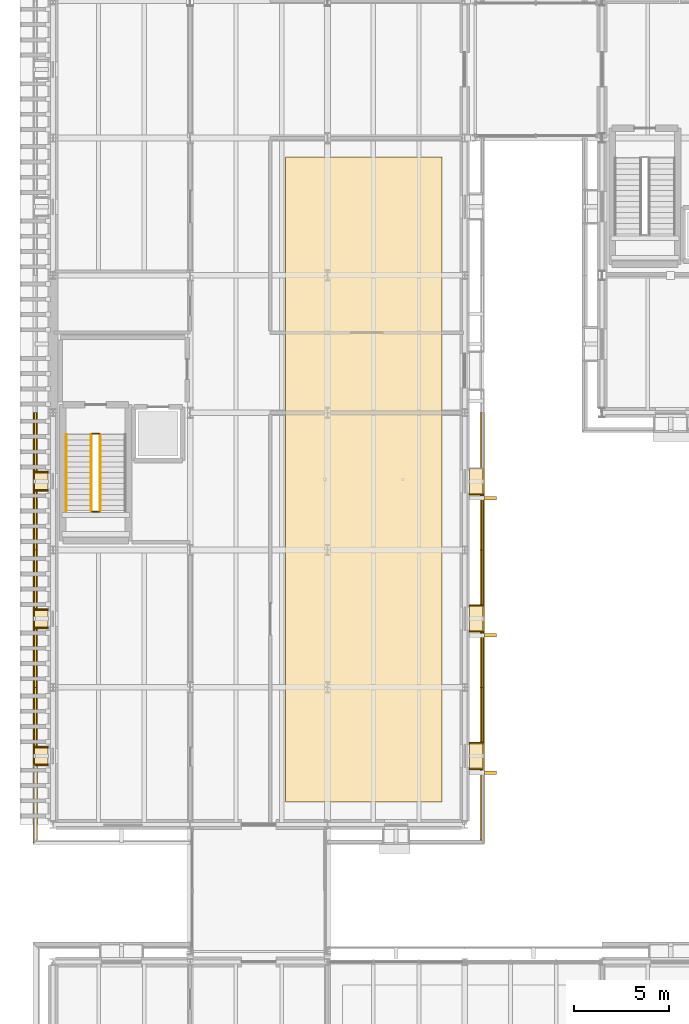
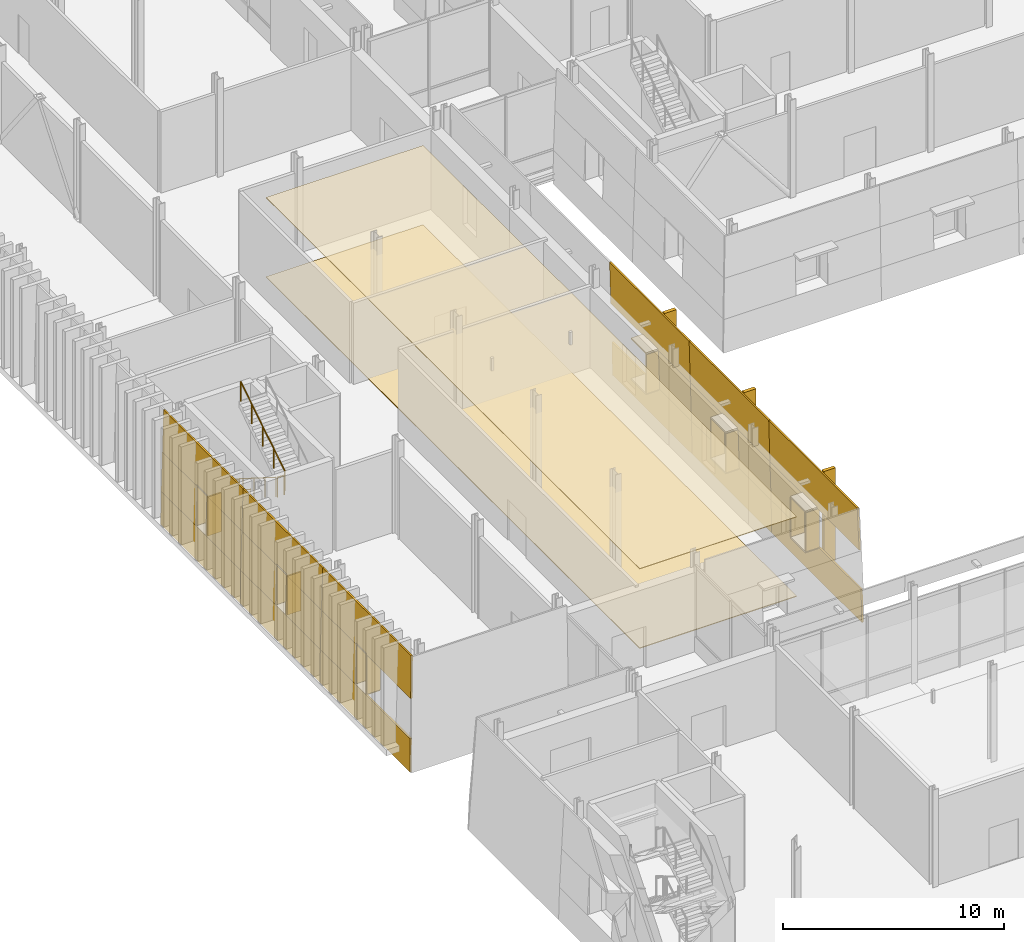
# One storey, part 101 of 120: 46 coverings, 5 railings, 3 shading devices.
"""IFC4 building model written with IfcOpenShell, lengths in metres."""

from ifc_helpers import new_model, si_unit, direction, frame, origin, origin_2d, place, context, subcontext, project, spatial, polyline, rectangle, circle, outline, extrude, material, layer, layer_set, type_object, element, save


model = new_model("IFC4")

# Units and contexts
model_context = context("Model", 3, precision=1e-05, world=origin(), true_north=direction((0.0, 1.0)))
body_context = subcontext(model_context, "Body", "Model", "MODEL_VIEW")
ifc_project = project(units=[si_unit("LENGTHUNIT", "METRE"), si_unit("AREAUNIT", "SQUARE_METRE"), si_unit("VOLUMEUNIT", "CUBIC_METRE"), si_unit("PLANEANGLEUNIT", "RADIAN"), si_unit("MASSUNIT", "GRAM", prefix="KILO")], contexts=[model_context])

# Site, building, storey
site_placement = place(None, origin())
site = spatial("IfcSite", under=ifc_project, at=site_placement, CompositionType="ELEMENT")
building_placement = place(site_placement, origin())
building = spatial("IfcBuilding", under=site, at=building_placement, Name="Narikvali Park Central Library", CompositionType="ELEMENT")
storey_placement = place(building_placement, origin())
storey = spatial("IfcBuildingStorey", under=building, at=storey_placement, Name="L00", CompositionType="ELEMENT", Elevation=0.0)

# Coverings
ifc_material_1 = material(Name="White Honed Limestone Cladding", Category="masonry")
ifc_layer_1 = layer(ifc_material_1, 0.0849609375, Name="White Honed Limestone Cladding")
ifc_layer_set_1 = layer_set([ifc_layer_1], Name="White Honed Limestone Cladding")
covering_type_1 = type_object("IfcCoveringType", Name="Battered White Limestone Facade Cladding Panel", PredefinedType="CLADDING", material=ifc_layer_set_1)
covering_1_placement = place(storey_placement, frame((22.639892578125, 27.844970703125, -0.8798828125), z_axis=(0.999892318289, 0.0, 0.014674870582), x_axis=(0.0, 1.0, 0.0)))
element("IfcCovering", 1, at=covering_1_placement, inside=storey, type_object=covering_type_1, Name="V5 L00 E Battered Limestone Spandrel B01", PredefinedType="CLADDING", context=body_context, shape_type="SweptSolid", body=[
    extrude(outline(polyline([(0.0, 0.0), (8.155029296875, 0.0), (8.155029296875, 1.830031045249088), (0.027099609375, 1.830031045249088), (0.0, 0.0)])), origin(), (0.0, 0.0, -1.0), 0.0849609375),
])
covering_2_placement = place(storey_placement, frame((22.552001953125, 27.932861328125, 3.10009765625), z_axis=(0.999598552146, 0.0, 0.028332570427), x_axis=(0.0, 1.0, 0.0)))
element("IfcCovering", 2, at=covering_2_placement, inside=storey, type_object=covering_type_1, Name="V5 L00 E Battered Limestone Lintel B01", PredefinedType="CLADDING", context=body_context, shape_type="SweptSolid", body=[
    extrude(outline(polyline([(0.0, 0.0), (8.067138671875, 0.0), (8.067138671875, 2.3007283099419555), (0.0654296875, 2.3007283099419555), (0.0, 0.0)])), origin(), (0.0, 0.0, -1.0), 0.0849609375),
])
covering_3_placement = place(storey_placement, frame((22.613037109375, 33.0400390625, 0.949951171875), z_axis=(0.99959734633, 0.0, 0.028375080797), x_axis=(0.0, 1.0, 0.0)))
element("IfcCovering", 3, at=covering_3_placement, inside=storey, type_object=covering_type_1, Name="V5 L00 E Battered Limestone Jamb Pier R B01", PredefinedType="CLADDING", context=body_context, shape_type="SweptSolid", body=[
    extrude(outline(polyline([(0.0, 0.0), (2.9599609375, 0.0), (2.9599609375, 2.1510125974918495), (0.0, 2.1510125974918495), (0.0, 0.0)])), origin(), (0.0, 0.0, -1.0), 0.0849609375),
])
covering_4_placement = place(storey_placement, frame((22.639892578125, 36.0, -0.8798828125), z_axis=(0.999892318289, 0.0, 0.014674870582), x_axis=(0.0, 1.0, 0.0)))
element("IfcCovering", 4, at=covering_4_placement, inside=storey, type_object=covering_type_1, Name="V5 L00 E Battered Limestone Spandrel B02", PredefinedType="CLADDING", context=body_context, shape_type="SweptSolid", body=[
    extrude(outline(polyline([(0.0, 0.0), (7.199951171875, 0.0), (7.199951171875, 1.830031045249088), (0.0, 1.830031045249088), (0.0, 0.0)])), origin(), (0.0, 0.0, -1.0), 0.0849609375),
])
covering_5_placement = place(storey_placement, frame((22.552001953125, 36.0, 3.10009765625), z_axis=(0.999598552146, 0.0, 0.028332570427), x_axis=(0.0, 1.0, 0.0)))
element("IfcCovering", 5, at=covering_5_placement, inside=storey, type_object=covering_type_1, Name="V5 L00 E Battered Limestone Lintel B02", PredefinedType="CLADDING", context=body_context, shape_type="SweptSolid", body=[
    extrude(outline(polyline([(0.0, 0.0), (7.199951171875, 0.0), (7.199951171875, 2.3007283099419555), (0.0, 2.3007283099419555), (0.0, 0.0)])), origin(), (0.0, 0.0, -1.0), 0.0849609375),
])
for number, where, z_axis, x_axis, name in (
    (6, (22.613037109375, 36.0, 0.949951171875), (0.99959734633, 0.0, 0.028375080797), (0.0, 1.0, 0.0), "V5 L00 E Battered Limestone Jamb Pier L B02"),
    (7, (22.613037109375, 40.239990234375, 0.949951171875), (0.99959734633, 0.0, 0.028375080797), (0.0, 1.0, 0.0), "V5 L00 E Battered Limestone Jamb Pier R B02"),
):
    element("IfcCovering", number, at=place(storey_placement, frame(where, z_axis=z_axis, x_axis=x_axis)), inside=storey, type_object=covering_type_1, Name=name, PredefinedType="CLADDING", context=body_context, shape_type="SweptSolid", body=[
        extrude(outline(polyline([(0.0, 0.0), (2.9599609375, 0.0), (2.9599609375, 2.1510125974918495), (0.0, 2.1510125974918495), (0.0, 0.0)])), origin(), (0.0, 0.0, -1.0), 0.0849609375),
    ])
covering_6_placement = place(storey_placement, frame((22.639892578125, 43.199951171875, -0.8798828125), z_axis=(0.999892318289, 0.0, 0.014674870582), x_axis=(0.0, 1.0, 0.0)))
element("IfcCovering", 8, at=covering_6_placement, inside=storey, type_object=covering_type_1, Name="V5 L00 E Battered Limestone Spandrel B03", PredefinedType="CLADDING", context=body_context, shape_type="SweptSolid", body=[
    extrude(outline(polyline([(0.0, 0.0), (7.199951171875, 0.0), (7.199951171875, 1.830031045249088), (0.0, 1.830031045249088), (0.0, 0.0)])), origin(), (0.0, 0.0, -1.0), 0.0849609375),
])
covering_7_placement = place(storey_placement, frame((22.552001953125, 43.199951171875, 3.10009765625), z_axis=(0.999598552146, 0.0, 0.028332570427), x_axis=(0.0, 1.0, 0.0)))
element("IfcCovering", 9, at=covering_7_placement, inside=storey, type_object=covering_type_1, Name="V5 L00 E Battered Limestone Lintel B03", PredefinedType="CLADDING", context=body_context, shape_type="SweptSolid", body=[
    extrude(outline(polyline([(0.0, 0.0), (7.199951171875, 0.0), (7.199951171875, 2.3007283099419555), (0.0, 2.3007283099419555), (0.0, 0.0)])), origin(), (0.0, 0.0, -1.0), 0.0849609375),
])
covering_8_placement = place(storey_placement, frame((22.613037109375, 43.199951171875, 0.949951171875), z_axis=(0.99959734633, 0.0, 0.028375080797), x_axis=(0.0, 1.0, 0.0)))
element("IfcCovering", 10, at=covering_8_placement, inside=storey, type_object=covering_type_1, Name="V5 L00 E Battered Limestone Jamb Pier L B03", PredefinedType="CLADDING", context=body_context, shape_type="SweptSolid", body=[
    extrude(outline(polyline([(0.0, 0.0), (2.9599609375, 0.0), (2.9599609375, 2.1510125974918495), (0.0, 2.1510125974918495), (0.0, 0.0)])), origin(), (0.0, 0.0, -1.0), 0.0849609375),
])
covering_9_placement = place(storey_placement, frame((-1.0400390625, 50.39990234375, -0.8798828125), z_axis=(-0.999890351864, 0.0, 0.014808249374), x_axis=(0.0, -1.0, 0.0)))
element("IfcCovering", 11, at=covering_9_placement, inside=storey, type_object=covering_type_1, Name="V5 L00 W Battered Limestone Spandrel B09", PredefinedType="CLADDING", context=body_context, shape_type="SweptSolid", body=[
    extrude(outline(polyline([(0.0, 0.0), (7.199951171875, 0.0), (7.199951171875, 1.8300346442627704), (0.0, 1.8300346442627704), (0.0, 0.0)])), origin(), (0.0, 0.0, -1.0), 0.0849609375),
])
covering_10_placement = place(storey_placement, frame((-0.9521484375, 50.39990234375, 3.10009765625), z_axis=(-0.999595541243, 0.0, 0.028438599263), x_axis=(0.0, -1.0, 0.0)))
element("IfcCovering", 12, at=covering_10_placement, inside=storey, type_object=covering_type_1, Name="V5 L00 W Battered Limestone Lintel B09", PredefinedType="CLADDING", context=body_context, shape_type="SweptSolid", body=[
    extrude(outline(polyline([(0.0, 0.0), (7.199951171875, 0.0), (7.199951171875, 2.3007352400164), (0.0, 2.3007352400164), (0.0, 0.0)])), origin(), (0.0, 0.0, -1.0), 0.0849609375),
])
covering_11_placement = place(storey_placement, frame((-1.012939453125, 50.39990234375, 0.949951171875), z_axis=(-0.999600559191, 0.0, 0.028261671311), x_axis=(0.0, -1.0, 0.0)))
element("IfcCovering", 13, at=covering_11_placement, inside=storey, type_object=covering_type_1, Name="V5 L00 W Battered Limestone Jamb Pier L B09", PredefinedType="CLADDING", context=body_context, shape_type="SweptSolid", body=[
    extrude(outline(polyline([(0.0, 0.0), (3.159912109375, 0.0), (3.159912109375, 2.1510056838257987), (0.0, 2.1510056838257987), (0.0, 0.0)])), origin(), (0.0, 0.0, -1.0), 0.0849609375),
])
covering_12_placement = place(storey_placement, frame((-1.012939453125, 46.360107421875, 0.949951171875), z_axis=(-0.999600559191, 0.0, 0.028261671311), x_axis=(0.0, -1.0, 0.0)))
element("IfcCovering", 14, at=covering_12_placement, inside=storey, type_object=covering_type_1, Name="V5 L00 W Battered Limestone Jamb Pier R B09", PredefinedType="CLADDING", context=body_context, shape_type="SweptSolid", body=[
    extrude(outline(polyline([(0.0, 0.0), (3.16015625, 0.0), (3.16015625, 2.1510056838257987), (0.0, 2.1510056838257987), (0.0, 0.0)])), origin(), (0.0, 0.0, -1.0), 0.0849609375),
])
covering_13_placement = place(storey_placement, frame((-1.0400390625, 43.199951171875, -0.8798828125), z_axis=(-0.999890351864, 0.0, 0.014808249374), x_axis=(0.0, -1.0, 0.0)))
element("IfcCovering", 15, at=covering_13_placement, inside=storey, type_object=covering_type_1, Name="V5 L00 W Battered Limestone Spandrel B10", PredefinedType="CLADDING", context=body_context, shape_type="SweptSolid", body=[
    extrude(outline(polyline([(0.0, 0.0), (7.199951171875, 0.0), (7.199951171875, 1.8300346442627704), (0.0, 1.8300346442627704), (0.0, 0.0)])), origin(), (0.0, 0.0, -1.0), 0.0849609375),
])
covering_14_placement = place(storey_placement, frame((-0.9521484375, 43.199951171875, 3.10009765625), z_axis=(-0.999595541243, 0.0, 0.028438599263), x_axis=(0.0, -1.0, 0.0)))
element("IfcCovering", 16, at=covering_14_placement, inside=storey, type_object=covering_type_1, Name="V5 L00 W Battered Limestone Lintel B10", PredefinedType="CLADDING", context=body_context, shape_type="SweptSolid", body=[
    extrude(outline(polyline([(0.0, 0.0), (7.199951171875, 0.0), (7.199951171875, 2.3007352400164), (0.0, 2.3007352400164), (0.0, 0.0)])), origin(), (0.0, 0.0, -1.0), 0.0849609375),
])
for number, where, z_axis, x_axis, name in (
    (17, (-1.012939453125, 43.199951171875, 0.949951171875), (-0.999600559191, 0.0, 0.028261671311), (0.0, -1.0, 0.0), "V5 L00 W Battered Limestone Jamb Pier L B10"),
    (18, (-1.012939453125, 39.159912109375, 0.949951171875), (-0.999600559191, 0.0, 0.028261671311), (0.0, -1.0, 0.0), "V5 L00 W Battered Limestone Jamb Pier R B10"),
):
    element("IfcCovering", number, at=place(storey_placement, frame(where, z_axis=z_axis, x_axis=x_axis)), inside=storey, type_object=covering_type_1, Name=name, PredefinedType="CLADDING", context=body_context, shape_type="SweptSolid", body=[
        extrude(outline(polyline([(0.0, 0.0), (3.159912109375, 0.0), (3.159912109375, 2.1510056838257987), (0.0, 2.1510056838257987), (0.0, 0.0)])), origin(), (0.0, 0.0, -1.0), 0.0849609375),
    ])
covering_15_placement = place(storey_placement, frame((-1.0400390625, 36.0, -0.8798828125), z_axis=(-0.999890351864, 0.0, 0.014808249374), x_axis=(0.0, -1.0, 0.0)))
element("IfcCovering", 19, at=covering_15_placement, inside=storey, type_object=covering_type_1, Name="V5 L00 W Battered Limestone Spandrel B11", PredefinedType="CLADDING", context=body_context, shape_type="SweptSolid", body=[
    extrude(outline(polyline([(0.0, 0.0), (8.155029296875, 0.0), (8.1279296875, 1.8300346442627706), (0.0, 1.8300346442627706), (0.0, 0.0)])), origin(), (0.0, 0.0, -1.0), 0.0849609375),
])
covering_16_placement = place(storey_placement, frame((-0.9521484375, 36.0, 3.10009765625), z_axis=(-0.999595541243, 0.0, 0.028438599263), x_axis=(0.0, -1.0, 0.0)))
element("IfcCovering", 20, at=covering_16_placement, inside=storey, type_object=covering_type_1, Name="V5 L00 W Battered Limestone Lintel B11", PredefinedType="CLADDING", context=body_context, shape_type="SweptSolid", body=[
    extrude(outline(polyline([(0.0, 0.0), (8.067138671875, 0.0), (8.001708984375, 2.3007352400163996), (0.0, 2.3007352400163996), (0.0, 0.0)])), origin(), (0.0, 0.0, -1.0), 0.0849609375),
])
covering_17_placement = place(storey_placement, frame((-1.012939453125, 36.0, 0.949951171875), z_axis=(-0.999600559191, 0.0, 0.028261671311), x_axis=(0.0, -1.0, 0.0)))
element("IfcCovering", 21, at=covering_17_placement, inside=storey, type_object=covering_type_1, Name="V5 L00 W Battered Limestone Jamb Pier L B11", PredefinedType="CLADDING", context=body_context, shape_type="SweptSolid", body=[
    extrude(outline(polyline([(0.0, 0.0), (3.159912109375, 0.0), (3.159912109375, 2.1510056838257987), (0.0, 2.1510056838257987), (0.0, 0.0)])), origin(), (0.0, 0.0, -1.0), 0.0849609375),
])
ifc_layer_2 = layer(ifc_material_1, 0.080078125, Name="White Honed Limestone Cladding")
ifc_layer_set_2 = layer_set([ifc_layer_2], Name="White Honed Limestone Cladding")
covering_type_2 = type_object("IfcCoveringType", Name="Deep Carved White Limestone Window Reveal", PredefinedType="CLADDING", material=ifc_layer_set_2)
covering_18_placement = place(storey_placement, frame((0.0, 0.0, 3.10009765625)))
element("IfcCovering", 22, at=covering_18_placement, inside=storey, type_object=covering_type_2, Name="Deep Stone Reveal Head V5-RVL-L00-E-B01", PredefinedType="CLADDING", context=body_context, shape_type="SweptSolid", body=[
    extrude(outline(polyline([(21.844970703125, 31.719970703125), (21.844970703125, 33.080078125), (22.552001953125, 33.080078125), (22.552001953125, 31.719970703125), (21.844970703125, 31.719970703125)])), origin(), (0.0, 0.0, 1.0), 0.079833984375),
])
covering_19_placement = place(storey_placement, frame((0.0, 0.0, 0.8701171875)))
element("IfcCovering", 23, at=covering_19_placement, inside=storey, type_object=covering_type_2, Name="Deep Stone Reveal Sill V5-RVL-L00-E-B01", PredefinedType="CLADDING", context=body_context, shape_type="SweptSolid", body=[
    extrude(outline(polyline([(21.844970703125, 31.719970703125), (21.844970703125, 33.080078125), (22.613037109375, 33.080078125), (22.613037109375, 31.719970703125), (21.844970703125, 31.719970703125)])), origin(), (0.0, 0.0, 1.0), 0.079833984375),
])
covering_20_placement = place(storey_placement, frame((0.0, 0.0, 0.949951171875)))
element("IfcCovering", 24, at=covering_20_placement, inside=storey, type_object=covering_type_2, Name="Deep Stone Reveal Jamb L V5-RVL-L00-E-B01", PredefinedType="CLADDING", context=body_context, shape_type="SweptSolid", body=[
    extrude(outline(polyline([(21.844970703125, 31.679931640625), (21.844970703125, 31.760009765625), (22.552001953125, 31.760009765625), (22.552001953125, 31.679931640625), (21.844970703125, 31.679931640625)])), origin(), (0.0, 0.0, 1.0), 2.150146484375),
])
covering_21_placement = place(storey_placement, frame((0.0, 0.0, 0.949951171875)))
element("IfcCovering", 25, at=covering_21_placement, inside=storey, type_object=covering_type_2, Name="Deep Stone Reveal Jamb R V5-RVL-L00-E-B01", PredefinedType="CLADDING", context=body_context, shape_type="SweptSolid", body=[
    extrude(outline(polyline([(21.844970703125, 33.0400390625), (21.844970703125, 33.1201171875), (22.552001953125, 33.1201171875), (22.552001953125, 33.0400390625), (21.844970703125, 33.0400390625)])), origin(), (0.0, 0.0, 1.0), 2.150146484375),
])
covering_22_placement = place(storey_placement, frame((0.0, 0.0, 3.10009765625)))
element("IfcCovering", 26, at=covering_22_placement, inside=storey, type_object=covering_type_2, Name="Deep Stone Reveal Head V5-RVL-L00-E-B02", PredefinedType="CLADDING", context=body_context, shape_type="SweptSolid", body=[
    extrude(outline(polyline([(21.844970703125, 38.919921875), (21.844970703125, 40.280029296875), (22.552001953125, 40.280029296875), (22.552001953125, 38.919921875), (21.844970703125, 38.919921875)])), origin(), (0.0, 0.0, 1.0), 0.079833984375),
])
covering_23_placement = place(storey_placement, frame((0.0, 0.0, 0.8701171875)))
element("IfcCovering", 27, at=covering_23_placement, inside=storey, type_object=covering_type_2, Name="Deep Stone Reveal Sill V5-RVL-L00-E-B02", PredefinedType="CLADDING", context=body_context, shape_type="SweptSolid", body=[
    extrude(outline(polyline([(21.844970703125, 38.919921875), (21.844970703125, 40.280029296875), (22.613037109375, 40.280029296875), (22.613037109375, 38.919921875), (21.844970703125, 38.919921875)])), origin(), (0.0, 0.0, 1.0), 0.079833984375),
])
covering_24_placement = place(storey_placement, frame((0.0, 0.0, 0.949951171875)))
element("IfcCovering", 28, at=covering_24_placement, inside=storey, type_object=covering_type_2, Name="Deep Stone Reveal Jamb L V5-RVL-L00-E-B02", PredefinedType="CLADDING", context=body_context, shape_type="SweptSolid", body=[
    extrude(outline(polyline([(21.844970703125, 38.8798828125), (21.844970703125, 38.9599609375), (22.552001953125, 38.9599609375), (22.552001953125, 38.8798828125), (21.844970703125, 38.8798828125)])), origin(), (0.0, 0.0, 1.0), 2.150146484375),
])
covering_25_placement = place(storey_placement, frame((0.0, 0.0, 0.949951171875)))
element("IfcCovering", 29, at=covering_25_placement, inside=storey, type_object=covering_type_2, Name="Deep Stone Reveal Jamb R V5-RVL-L00-E-B02", PredefinedType="CLADDING", context=body_context, shape_type="SweptSolid", body=[
    extrude(outline(polyline([(21.844970703125, 40.239990234375), (21.844970703125, 40.320068359375), (22.552001953125, 40.320068359375), (22.552001953125, 40.239990234375), (21.844970703125, 40.239990234375)])), origin(), (0.0, 0.0, 1.0), 2.150146484375),
])
covering_26_placement = place(storey_placement, frame((0.0, 0.0, 3.10009765625)))
element("IfcCovering", 30, at=covering_26_placement, inside=storey, type_object=covering_type_2, Name="Deep Stone Reveal Head V5-RVL-L00-E-B03", PredefinedType="CLADDING", context=body_context, shape_type="SweptSolid", body=[
    extrude(outline(polyline([(21.844970703125, 46.1201171875), (21.844970703125, 47.47998046875), (22.552001953125, 47.47998046875), (22.552001953125, 46.1201171875), (21.844970703125, 46.1201171875)])), origin(), (0.0, 0.0, 1.0), 0.079833984375),
])
covering_27_placement = place(storey_placement, frame((0.0, 0.0, 0.8701171875)))
element("IfcCovering", 31, at=covering_27_placement, inside=storey, type_object=covering_type_2, Name="Deep Stone Reveal Sill V5-RVL-L00-E-B03", PredefinedType="CLADDING", context=body_context, shape_type="SweptSolid", body=[
    extrude(outline(polyline([(21.844970703125, 46.1201171875), (21.844970703125, 47.47998046875), (22.613037109375, 47.47998046875), (22.613037109375, 46.1201171875), (21.844970703125, 46.1201171875)])), origin(), (0.0, 0.0, 1.0), 0.079833984375),
])
covering_28_placement = place(storey_placement, frame((0.0, 0.0, 0.949951171875)))
element("IfcCovering", 32, at=covering_28_placement, inside=storey, type_object=covering_type_2, Name="Deep Stone Reveal Jamb L V5-RVL-L00-E-B03", PredefinedType="CLADDING", context=body_context, shape_type="SweptSolid", body=[
    extrude(outline(polyline([(21.844970703125, 46.080078125), (21.844970703125, 46.159912109375), (22.552001953125, 46.159912109375), (22.552001953125, 46.080078125), (21.844970703125, 46.080078125)])), origin(), (0.0, 0.0, 1.0), 2.150146484375),
])
covering_29_placement = place(storey_placement, frame((0.0, 0.0, 3.10009765625)))
element("IfcCovering", 33, at=covering_29_placement, inside=storey, type_object=covering_type_2, Name="Deep Stone Reveal Head V5-RVL-L00-W-B09", PredefinedType="CLADDING", context=body_context, shape_type="SweptSolid", body=[
    extrude(outline(polyline([(-0.2451171875, 47.280029296875), (-0.2451171875, 46.320068359375), (-0.9521484375, 46.320068359375), (-0.9521484375, 47.280029296875), (-0.2451171875, 47.280029296875)])), origin(), (0.0, 0.0, 1.0), 0.079833984375),
])
covering_30_placement = place(storey_placement, frame((0.0, 0.0, 0.8701171875)))
element("IfcCovering", 34, at=covering_30_placement, inside=storey, type_object=covering_type_2, Name="Deep Stone Reveal Sill V5-RVL-L00-W-B09", PredefinedType="CLADDING", context=body_context, shape_type="SweptSolid", body=[
    extrude(outline(polyline([(-0.2451171875, 47.280029296875), (-0.2451171875, 46.320068359375), (-1.012939453125, 46.320068359375), (-1.012939453125, 47.280029296875), (-0.2451171875, 47.280029296875)])), origin(), (0.0, 0.0, 1.0), 0.079833984375),
])
covering_31_placement = place(storey_placement, frame((0.0, 0.0, 0.949951171875)))
element("IfcCovering", 35, at=covering_31_placement, inside=storey, type_object=covering_type_2, Name="Deep Stone Reveal Jamb L V5-RVL-L00-W-B09", PredefinedType="CLADDING", context=body_context, shape_type="SweptSolid", body=[
    extrude(outline(polyline([(-0.2451171875, 47.320068359375), (-0.2451171875, 47.239990234375), (-0.9521484375, 47.239990234375), (-0.9521484375, 47.320068359375), (-0.2451171875, 47.320068359375)])), origin(), (0.0, 0.0, 1.0), 2.150146484375),
])
covering_32_placement = place(storey_placement, frame((0.0, 0.0, 0.949951171875)))
element("IfcCovering", 36, at=covering_32_placement, inside=storey, type_object=covering_type_2, Name="Deep Stone Reveal Jamb R V5-RVL-L00-W-B09", PredefinedType="CLADDING", context=body_context, shape_type="SweptSolid", body=[
    extrude(outline(polyline([(-0.2451171875, 46.360107421875), (-0.2451171875, 46.280029296875), (-0.9521484375, 46.280029296875), (-0.9521484375, 46.360107421875), (-0.2451171875, 46.360107421875)])), origin(), (0.0, 0.0, 1.0), 2.150146484375),
])
covering_33_placement = place(storey_placement, frame((0.0, 0.0, 3.10009765625)))
element("IfcCovering", 37, at=covering_33_placement, inside=storey, type_object=covering_type_2, Name="Deep Stone Reveal Head V5-RVL-L00-W-B10", PredefinedType="CLADDING", context=body_context, shape_type="SweptSolid", body=[
    extrude(outline(polyline([(-0.2451171875, 40.080078125), (-0.2451171875, 39.1201171875), (-0.9521484375, 39.1201171875), (-0.9521484375, 40.080078125), (-0.2451171875, 40.080078125)])), origin(), (0.0, 0.0, 1.0), 0.079833984375),
])
covering_34_placement = place(storey_placement, frame((0.0, 0.0, 0.8701171875)))
element("IfcCovering", 38, at=covering_34_placement, inside=storey, type_object=covering_type_2, Name="Deep Stone Reveal Sill V5-RVL-L00-W-B10", PredefinedType="CLADDING", context=body_context, shape_type="SweptSolid", body=[
    extrude(outline(polyline([(-0.2451171875, 40.080078125), (-0.2451171875, 39.1201171875), (-1.012939453125, 39.1201171875), (-1.012939453125, 40.080078125), (-0.2451171875, 40.080078125)])), origin(), (0.0, 0.0, 1.0), 0.079833984375),
])
covering_35_placement = place(storey_placement, frame((0.0, 0.0, 0.949951171875)))
element("IfcCovering", 39, at=covering_35_placement, inside=storey, type_object=covering_type_2, Name="Deep Stone Reveal Jamb L V5-RVL-L00-W-B10", PredefinedType="CLADDING", context=body_context, shape_type="SweptSolid", body=[
    extrude(outline(polyline([(-0.2451171875, 40.1201171875), (-0.2451171875, 40.0400390625), (-0.9521484375, 40.0400390625), (-0.9521484375, 40.1201171875), (-0.2451171875, 40.1201171875)])), origin(), (0.0, 0.0, 1.0), 2.150146484375),
])
covering_36_placement = place(storey_placement, frame((0.0, 0.0, 0.949951171875)))
element("IfcCovering", 40, at=covering_36_placement, inside=storey, type_object=covering_type_2, Name="Deep Stone Reveal Jamb R V5-RVL-L00-W-B10", PredefinedType="CLADDING", context=body_context, shape_type="SweptSolid", body=[
    extrude(outline(polyline([(-0.2451171875, 39.159912109375), (-0.2451171875, 39.080078125), (-0.9521484375, 39.080078125), (-0.9521484375, 39.159912109375), (-0.2451171875, 39.159912109375)])), origin(), (0.0, 0.0, 1.0), 2.150146484375),
])
covering_37_placement = place(storey_placement, frame((0.0, 0.0, 3.10009765625)))
element("IfcCovering", 41, at=covering_37_placement, inside=storey, type_object=covering_type_2, Name="Deep Stone Reveal Head V5-RVL-L00-W-B11", PredefinedType="CLADDING", context=body_context, shape_type="SweptSolid", body=[
    extrude(outline(polyline([(-0.2451171875, 32.8798828125), (-0.2451171875, 31.919921875), (-0.9521484375, 31.919921875), (-0.9521484375, 32.8798828125), (-0.2451171875, 32.8798828125)])), origin(), (0.0, 0.0, 1.0), 0.079833984375),
])
covering_38_placement = place(storey_placement, frame((0.0, 0.0, 0.8701171875)))
element("IfcCovering", 42, at=covering_38_placement, inside=storey, type_object=covering_type_2, Name="Deep Stone Reveal Sill V5-RVL-L00-W-B11", PredefinedType="CLADDING", context=body_context, shape_type="SweptSolid", body=[
    extrude(outline(polyline([(-0.2451171875, 32.8798828125), (-0.2451171875, 31.919921875), (-1.012939453125, 31.919921875), (-1.012939453125, 32.8798828125), (-0.2451171875, 32.8798828125)])), origin(), (0.0, 0.0, 1.0), 0.079833984375),
])
covering_39_placement = place(storey_placement, frame((0.0, 0.0, 0.949951171875)))
element("IfcCovering", 43, at=covering_39_placement, inside=storey, type_object=covering_type_2, Name="Deep Stone Reveal Jamb L V5-RVL-L00-W-B11", PredefinedType="CLADDING", context=body_context, shape_type="SweptSolid", body=[
    extrude(outline(polyline([(-0.2451171875, 32.919921875), (-0.2451171875, 32.840087890625), (-0.9521484375, 32.840087890625), (-0.9521484375, 32.919921875), (-0.2451171875, 32.919921875)])), origin(), (0.0, 0.0, 1.0), 2.150146484375),
])
covering_40_placement = place(storey_placement, frame((0.0, 0.0, 0.949951171875)))
element("IfcCovering", 44, at=covering_40_placement, inside=storey, type_object=covering_type_2, Name="Deep Stone Reveal Jamb R V5-RVL-L00-W-B11", PredefinedType="CLADDING", context=body_context, shape_type="SweptSolid", body=[
    extrude(outline(polyline([(-0.2451171875, 31.9599609375), (-0.2451171875, 31.8798828125), (-0.9521484375, 31.8798828125), (-0.9521484375, 31.9599609375), (-0.2451171875, 31.9599609375)])), origin(), (0.0, 0.0, 1.0), 2.150146484375),
])
ifc_material_2 = material(Name="Acoustic Mineral Fibre Board")
ifc_layer_3 = layer(ifc_material_2, 0.034912109375, Name="Acoustic Mineral Fibre Board")
ifc_layer_set_3 = layer_set([ifc_layer_3], Name="Acoustic Mineral Fibre Board")
covering_type_3 = type_object("IfcCoveringType", Name="Mineral Fibre Reading Room Ceiling", PredefinedType="CEILING", material=ifc_layer_set_3)
covering_41_placement = place(storey_placement, frame((0.0, 0.0, 4.385009765625)))
element("IfcCovering", 45, at=covering_41_placement, inside=storey, type_object=covering_type_3, Name="V5 L00 Acoustic Suspended Ceiling 07", PredefinedType="CEILING", context=body_context, shape_type="SweptSolid", body=[
    extrude(outline(polyline([(12.199951171875, 30.0), (20.39990234375, 30.0), (20.39990234375, 63.800048828125), (12.199951171875, 63.800048828125), (12.199951171875, 30.0)])), origin(), (0.0, 0.0, 1.0), 0.034912109375),
])
ifc_material_3 = material(Name="Polished Georgian Basalt Terrazzo", Category="masonry")
ifc_layer_4 = layer(ifc_material_3, 0.0400390625, Name="Polished Georgian Basalt Terrazzo")
ifc_layer_set_4 = layer_set([ifc_layer_4], Name="Polished Georgian Basalt Terrazzo")
covering_type_4 = type_object("IfcCoveringType", Name="Polished Basalt Terrazzo Floor Finish", PredefinedType="FLOORING", material=ifc_layer_set_4)
covering_42_placement = place(storey_placement, origin())
element("IfcCovering", 46, at=covering_42_placement, inside=storey, type_object=covering_type_4, Name="V5 L00 Basalt Terrazzo Flooring 07", PredefinedType="FLOORING", context=body_context, shape_type="SweptSolid", body=[
    extrude(outline(polyline([(12.199951171875, 30.0), (20.39990234375, 30.0), (20.39990234375, 63.800048828125), (12.199951171875, 63.800048828125), (12.199951171875, 30.0)])), origin(), (0.0, 0.0, 1.0), 0.0400390625),
])

# Railings
ifc_material_4 = material(Name="Brushed Stainless Steel S355", Category="steel")
ifc_layer_5 = layer(ifc_material_4, 0.044921875, Name="Brushed Stainless Steel S355")
ifc_layer_set_5 = layer_set([ifc_layer_5], Name="Brushed Stainless Steel S355")
railing_type_1 = type_object("IfcRailingType", Name="Stair Tubular Steel Handrail 900", PredefinedType="HANDRAIL", material=ifc_layer_set_5)
railing_1_placement = place(storey_placement, frame((0.699951171875, 49.25, 0.179931640625)))
element("IfcRailing", 47, at=railing_1_placement, inside=storey, type_object=railing_type_1, Name="L00 ST-09 stair handrail 1", PredefinedType="HANDRAIL", context=body_context, shape_type="SweptSolid", body=[
    extrude(circle(Radius=0.02392578125, at=origin_2d()), frame((0.0, 0.0, 0.8759765625), z_axis=(0.0, -0.845486444383, 0.533996884227), x_axis=(1.0, 0.0, 0.0)), (0.0, 0.0, 1.0), 4.71923828125),
    extrude(circle(Radius=0.02099609375, at=origin_2d()), origin(), (0.0, 0.0, 1.0), 0.851806640625),
    extrude(circle(Radius=0.02099609375, at=origin_2d()), frame((0.0, -0.99755859375, 0.6298828125)), (0.0, 0.0, 1.0), 0.851806640625),
    extrude(circle(Radius=0.02099609375, at=origin_2d()), frame((0.0, -1.9951171875, 1.260009765625)), (0.0, 0.0, 1.0), 0.851806640625),
    extrude(circle(Radius=0.02099609375, at=origin_2d()), frame((0.0, -2.992431640625, 1.89013671875)), (0.0, 0.0, 1.0), 0.851806640625),
    extrude(circle(Radius=0.02099609375, at=origin_2d()), frame((0.0, -3.989990234375, 2.52001953125)), (0.0, 0.0, 1.0), 0.851806640625),
])
ifc_material_5 = material(Name="Powder-Coated Steel S275", Category="steel")
ifc_layer_6 = layer(ifc_material_5, 0.050048828125, Name="Powder-Coated Steel S275")
ifc_layer_set_6 = layer_set([ifc_layer_6], Name="Powder-Coated Steel S275")
railing_type_2 = type_object("IfcRailingType", Name="Stair Well Steel Guardrail 1100", PredefinedType="GUARDRAIL", material=ifc_layer_set_6)
railing_2_placement = place(storey_placement, frame((2.02001953125, 49.25, 0.179931640625)))
element("IfcRailing", 48, at=railing_2_placement, inside=storey, type_object=railing_type_2, Name="L00 ST-09 stair guard 1", PredefinedType="GUARDRAIL", context=body_context, shape_type="SweptSolid", body=[
    extrude(circle(Radius=0.02392578125, at=origin_2d()), frame((0.0, 0.0, 1.076171875), z_axis=(0.0, -0.845486444383, 0.533996884227), x_axis=(1.0, 0.0, 0.0)), (0.0, 0.0, 1.0), 4.71923828125),
    extrude(circle(Radius=0.02099609375, at=origin_2d()), origin(), (0.0, 0.0, 1.0), 1.052001953125),
    extrude(circle(Radius=0.02099609375, at=origin_2d()), frame((0.0, -0.99755859375, 0.6298828125)), (0.0, 0.0, 1.0), 1.052001953125),
    extrude(circle(Radius=0.02099609375, at=origin_2d()), frame((0.0, -1.9951171875, 1.260009765625)), (0.0, 0.0, 1.0), 1.052001953125),
    extrude(circle(Radius=0.02099609375, at=origin_2d()), frame((0.0, -2.992431640625, 1.89013671875)), (0.0, 0.0, 1.0), 1.052001953125),
    extrude(circle(Radius=0.02099609375, at=origin_2d()), frame((0.0, -3.989990234375, 2.52001953125)), (0.0, 0.0, 1.0), 1.052001953125),
])
railing_3_placement = place(storey_placement, frame((2.070068359375, 45.2099609375, 2.699951171875)))
element("IfcRailing", 49, at=railing_3_placement, inside=storey, type_object=railing_type_2, Name="L00 ST-09 stair guard 2", PredefinedType="GUARDRAIL", context=body_context, shape_type="SweptSolid", body=[
    extrude(circle(Radius=0.02392578125, at=origin_2d()), frame((0.0, 0.0, 1.076171875), z_axis=(1.0, 0.0, 0.0), x_axis=(0.0, 1.0, 0.0)), (0.0, 0.0, 1.0), 0.35986328125),
    extrude(circle(Radius=0.02099609375, at=origin_2d()), origin(), (0.0, 0.0, 1.0), 1.052001953125),
    extrude(circle(Radius=0.02099609375, at=origin_2d()), frame((0.35986328125, 0.0, 0.0)), (0.0, 0.0, 1.0), 1.052001953125),
])
railing_4_placement = place(storey_placement, frame((2.47998046875, 45.260009765625, 2.8798828125)))
element("IfcRailing", 50, at=railing_4_placement, inside=storey, type_object=railing_type_2, Name="L00 ST-09 stair guard 3", PredefinedType="GUARDRAIL", context=body_context, shape_type="SweptSolid", body=[
    extrude(circle(Radius=0.02392578125, at=origin_2d()), frame((0.0, 0.0, 1.076171875), z_axis=(0.0, 0.845486444383, 0.533996884227), x_axis=(-1.0, 0.0, 0.0)), (0.0, 0.0, 1.0), 4.71923828125),
    extrude(circle(Radius=0.02099609375, at=origin_2d()), origin(), (0.0, 0.0, 1.0), 1.052001953125),
    extrude(circle(Radius=0.02099609375, at=origin_2d()), frame((0.0, 0.99755859375, 0.6298828125)), (0.0, 0.0, 1.0), 1.052001953125),
    extrude(circle(Radius=0.02099609375, at=origin_2d()), frame((0.0, 1.9951171875, 1.260009765625)), (0.0, 0.0, 1.0), 1.052001953125),
    extrude(circle(Radius=0.02099609375, at=origin_2d()), frame((0.0, 2.992431640625, 1.89013671875)), (0.0, 0.0, 1.0), 1.052001953125),
    extrude(circle(Radius=0.02099609375, at=origin_2d()), frame((0.0, 3.989990234375, 2.52001953125)), (0.0, 0.0, 1.0), 1.052001953125),
])
railing_5_placement = place(storey_placement, frame((2.070068359375, 49.300048828125, 0.0)))
element("IfcRailing", 51, at=railing_5_placement, inside=storey, type_object=railing_type_2, Name="L00 ST-09 stair guard 4", PredefinedType="GUARDRAIL", context=body_context, shape_type="SweptSolid", body=[
    extrude(circle(Radius=0.02392578125, at=origin_2d()), frame((0.0, 0.0, 1.076171875), z_axis=(1.0, 0.0, 0.0), x_axis=(0.0, 1.0, 0.0)), (0.0, 0.0, 1.0), 0.35986328125),
    extrude(circle(Radius=0.02099609375, at=origin_2d()), origin(), (0.0, 0.0, 1.0), 1.052001953125),
    extrude(circle(Radius=0.02099609375, at=origin_2d()), frame((0.35986328125, 0.0, 0.0)), (0.0, 0.0, 1.0), 1.052001953125),
])

# Shading devices
ifc_material_6 = material(Name="Kiln-Fired Terracotta Red Brick", Category="masonry")
ifc_layer_7 = layer(ifc_material_6, 0.179931640625, Name="Kiln-Fired Terracotta Red Brick")
ifc_layer_set_7 = layer_set([ifc_layer_7], Name="Kiln-Fired Terracotta Red Brick")
shading_device_type = type_object("IfcShadingDeviceType", Name="Terracotta Red Brick Vertical Sun Fin 620x180", PredefinedType="JALOUSIE", material=ifc_layer_set_7)
for number, where, z_axis, x_axis, name in (
    (52, (22.951904296875, 31.52001953125, 0.14990234375), (0.0, 0.0, 1.0), (1.0, 0.0, 0.0), "West Stacks Red Brick Sun Louver 001"),
    (53, (22.951904296875, 38.719970703125, 0.14990234375), (0.0, 0.0, 1.0), (1.0, 0.0, 0.0), "West Stacks Red Brick Sun Louver 005"),
    (54, (22.951904296875, 45.919921875, 0.14990234375), (0.0, 0.0, 1.0), (1.0, 0.0, 0.0), "West Stacks Red Brick Sun Louver 009"),
):
    element("IfcShadingDevice", number, at=place(storey_placement, frame(where, z_axis=z_axis, x_axis=x_axis)), inside=storey, type_object=shading_device_type, Name=name, PredefinedType="JALOUSIE", context=body_context, shape_type="SweptSolid", body=[
        extrude(rectangle(XDim=0.6201171875, YDim=0.179931640625, at=origin_2d()), origin(), (0.0, 0.0, 1.0), 5.10009765625),
    ])

save(model, "model.ifc")
